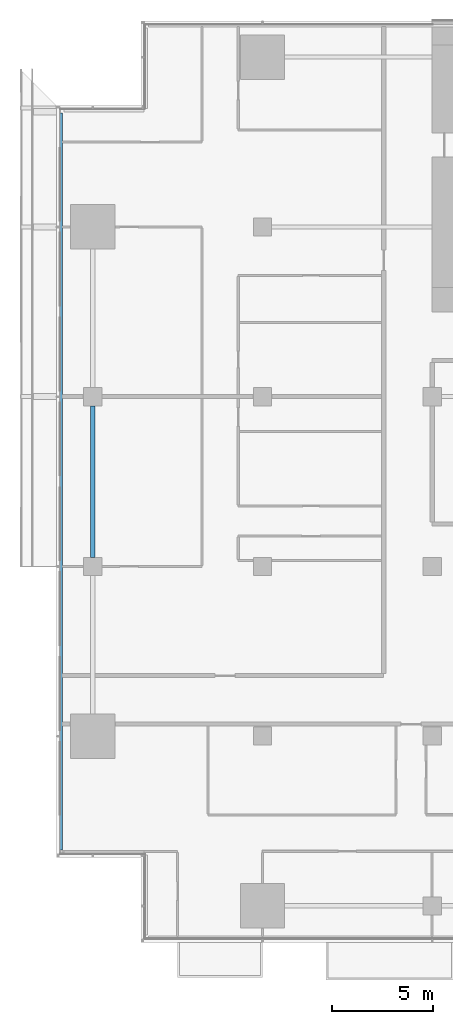
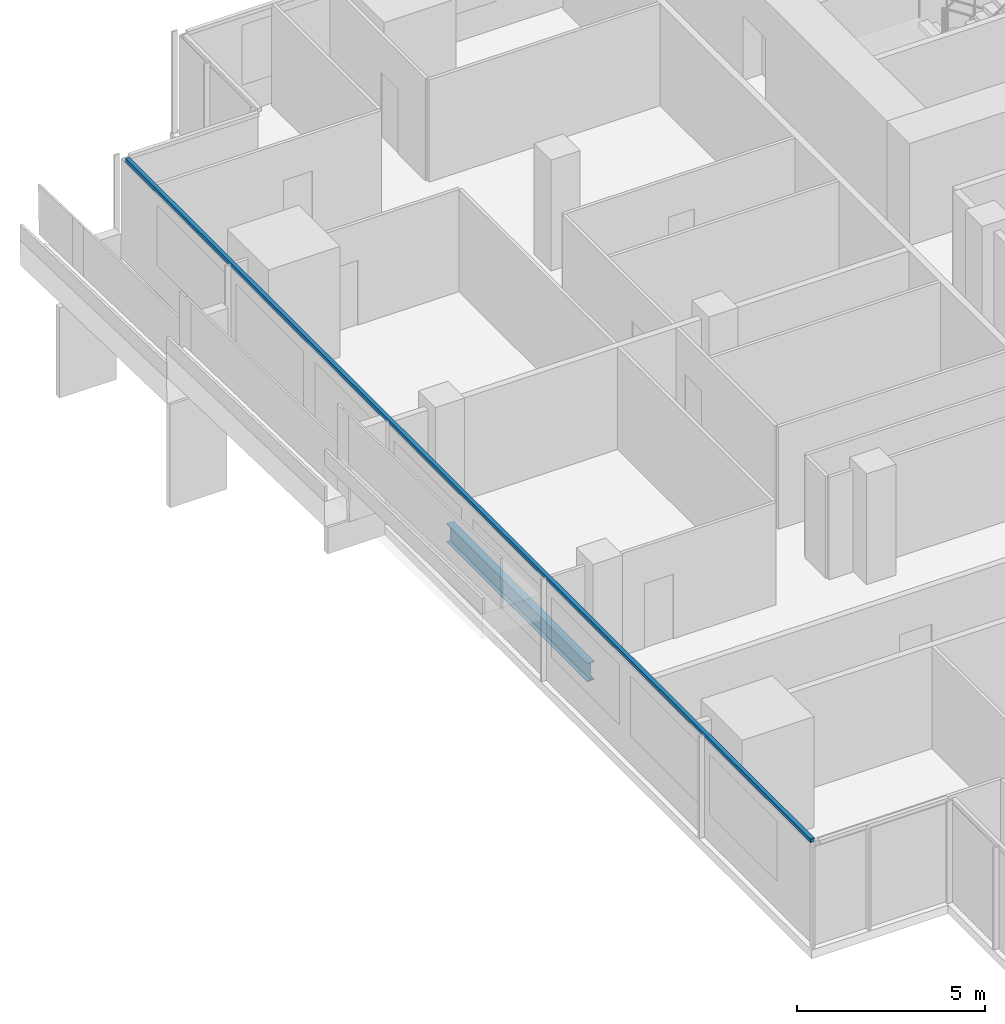
# One storey, part 3 of 28: 1 beam, 1 member, 1 element without a shape of its own.
"""IFC4 building model written with IfcOpenShell, lengths in metres."""

from ifc_helpers import new_model, si_unit, direction, frame, origin, origin_2d, place, context, subcontext, project, spatial, rectangle, i_section, extrude, material, material_profile, profile_set, type_object, element, aggregate, save


model = new_model("IFC4")

# Units and contexts
model_context = context("Model", 3, precision=1e-05, world=origin(), true_north=direction((0.0, 1.0)))
body_context = subcontext(model_context, "Body", "Model", "MODEL_VIEW")
ifc_project = project(units=[si_unit("LENGTHUNIT", "METRE"), si_unit("AREAUNIT", "SQUARE_METRE"), si_unit("VOLUMEUNIT", "CUBIC_METRE"), si_unit("PLANEANGLEUNIT", "RADIAN"), si_unit("MASSUNIT", "GRAM", prefix="KILO")], contexts=[model_context])

# Site, building, storey
site_placement = place(None, origin())
site = spatial("IfcSite", under=ifc_project, at=site_placement, CompositionType="ELEMENT")
building_placement = place(site_placement, origin())
building = spatial("IfcBuilding", under=site, at=building_placement, Name="Saffron Gate Tower", CompositionType="ELEMENT")
storey_placement = place(building_placement, frame((0.0, 0.0, 51.60009765625)))
storey = spatial("IfcBuildingStorey", under=building, at=storey_placement, Name="L11", CompositionType="ELEMENT", Elevation=51.60009765625)

# Beam
ifc_material_1 = material(Name="Structural steel S355", Category="steel")
ifc_material_profile_1 = material_profile(ifc_material_1, i_section(OverallWidth=0.219970703125, OverallDepth=0.60009765625, WebThickness=0.011962890625, FlangeThickness=0.01904296875, FilletRadius=0.02392578125, at=origin_2d()))
ifc_profile_set_1 = profile_set([ifc_material_profile_1], Name="Structural steel S355")
beam_type = type_object("IfcBeamType", Name="B16 IPE 600", PredefinedType="SPANDREL", material=ifc_profile_set_1)
beam_placement = place(storey_placement, frame((49.800048828125, 49.050048828125, -0.580078125), z_axis=(0.0, 1.0, 0.0), x_axis=(-1.0, 0.0, 0.0)))
element("IfcBeam", 1, at=beam_placement, inside=storey, type_object=beam_type, Name="B16 SPANDREL BEAM", PredefinedType="SPANDREL", context=body_context, shape_type="SweptSolid", body=[
    extrude(i_section(OverallWidth=0.219970703125, OverallDepth=0.60009765625, WebThickness=0.011962890625, FlangeThickness=0.01904296875, FilletRadius=0.02392578125, at=origin_2d()), origin(), (0.0, 0.0, 1.0), 7.5),
])

# Curtain wall, member
ifc_material_2 = material(Name="Aluminium, bronze anodised", Category="aluminium")
curtain_wall_type = type_object("IfcCurtainWallType", Name="CWS2 curtain wall side facades", PredefinedType="NOTDEFINED", material=ifc_material_2)
curtain_wall_placement = place(storey_placement, origin())
curtain_wall = element("IfcCurtainWall", 2, at=curtain_wall_placement, inside=storey, type_object=curtain_wall_type, Name="CWS2 run 10", PredefinedType="NOTDEFINED")
ifc_material_profile_2 = material_profile(ifc_material_2, rectangle(XDim=0.1201171875, YDim=0.1201171875, at=origin_2d()))
ifc_profile_set_2 = profile_set([ifc_material_profile_2], Name="Aluminium, bronze anodised")
member_type = type_object("IfcMemberType", Name="CWS2 head transom", PredefinedType="USERDEFINED", material=ifc_profile_set_2)
member_placement = place(storey_placement, frame((48.248046875, 71.031982421875, 3.260009765625), z_axis=(0.0, -1.0, 0.0), x_axis=(1.0, 0.0, 0.0)))
member = element("IfcMember", 3, at=member_placement, type_object=member_type, Name="CWS2 head transom", ObjectType="TRANSOM", PredefinedType="USERDEFINED", context=body_context, shape_type="SweptSolid", body=[
    extrude(rectangle(XDim=0.1201171875, YDim=0.1201171875, at=origin_2d()), origin(), (0.0, 0.0, 1.0), 36.4638671875),
])
aggregate(curtain_wall, [member])

save(model, "model.ifc")
